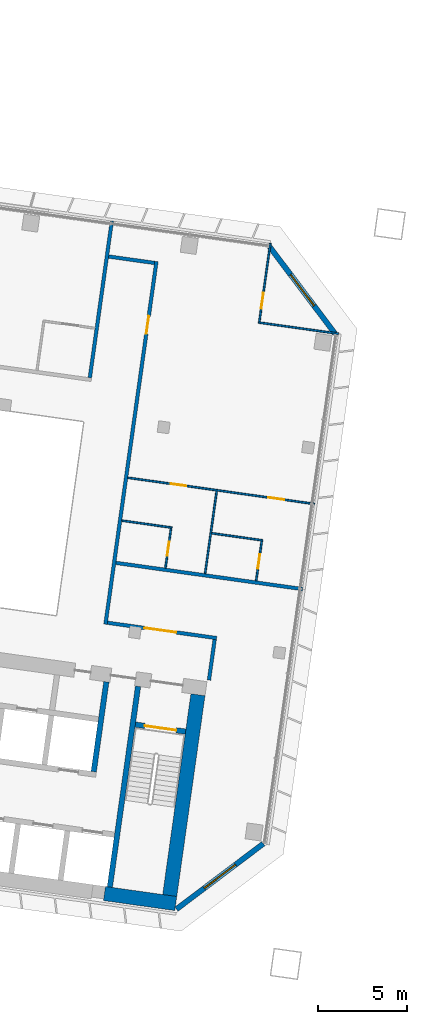
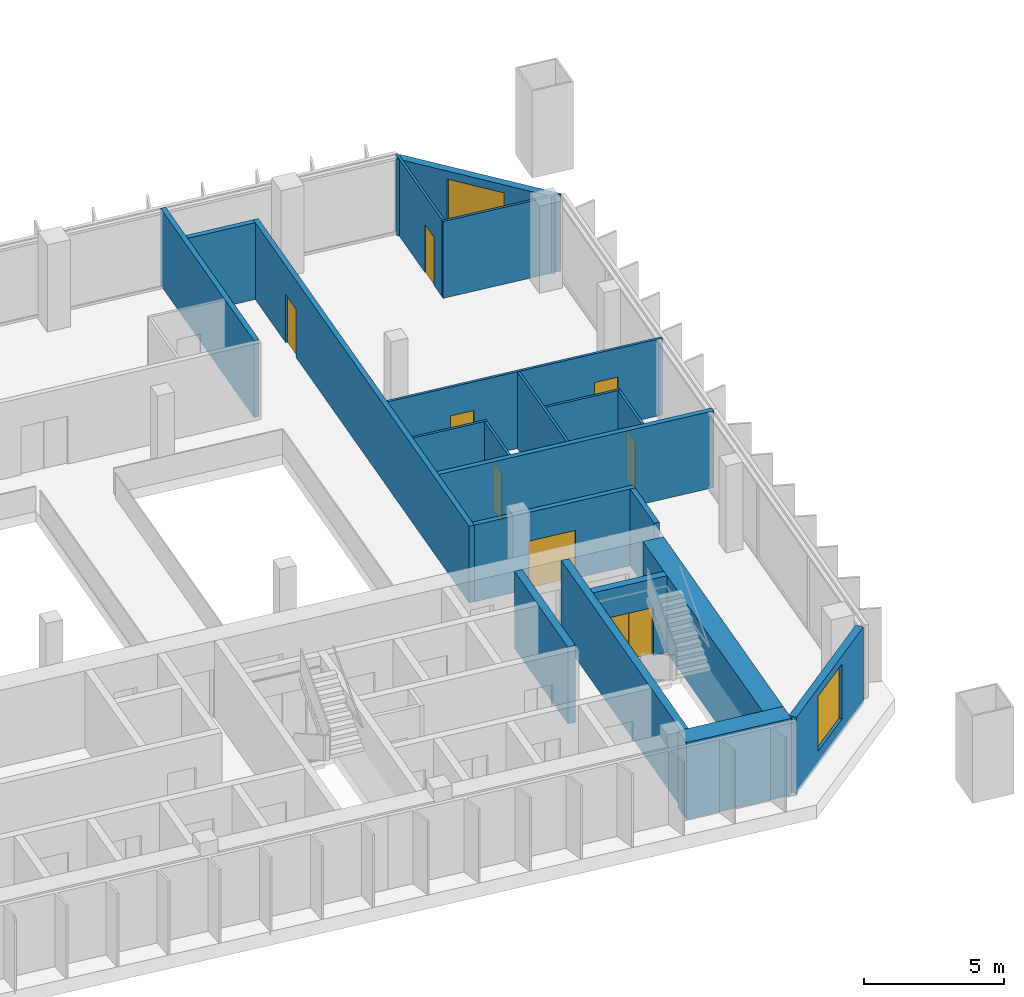
# One storey, part 17 of 25: 21 walls, 8 doors, 2 windows, 10 openings.
"""IFC4 building model written with IfcOpenShell, lengths in metres."""

from ifc_helpers import new_model, si_unit, direction, frame, frame_2d, origin, place, context, subcontext, project, spatial, rectangle, extrude, material, layer, layer_set, type_object, element, fill, save


model = new_model("IFC4")

# Units and contexts
model_context = context("Model", 3, precision=1e-05, world=origin(), true_north=direction((0.0, 1.0)))
body_context = subcontext(model_context, "Body", "Model", "MODEL_VIEW")
ifc_project = project(units=[si_unit("LENGTHUNIT", "METRE"), si_unit("AREAUNIT", "SQUARE_METRE"), si_unit("VOLUMEUNIT", "CUBIC_METRE"), si_unit("PLANEANGLEUNIT", "RADIAN"), si_unit("MASSUNIT", "GRAM", prefix="KILO")], contexts=[model_context])

# Site, building, storey
site_placement = place(None, origin())
site = spatial("IfcSite", under=ifc_project, at=site_placement, CompositionType="ELEMENT")
building_placement = place(site_placement, origin())
building = spatial("IfcBuilding", under=site, at=building_placement, Name="Mirante Cascada Hotel Towers", CompositionType="ELEMENT")
storey_placement = place(building_placement, frame((0.0, 0.0, 129.1)))
storey = spatial("IfcBuildingStorey", under=building, at=storey_placement, Name="L29", CompositionType="ELEMENT", Elevation=129.1)

# Wall, opening, door
ifc_material_1 = material(Name="Fire-rated plasterboard on metal studs")
ifc_layer_1 = layer(ifc_material_1, 0.2)
ifc_layer_set_1 = layer_set([ifc_layer_1], Name="Compartment wall 200 EI 120")
wall_type_1 = type_object("IfcWallType", Name="Compartment wall 200 EI 120", PredefinedType="PARTITIONING", material=ifc_layer_set_1)
wall_1_placement = place(storey_placement, frame((-40.97, -3.8917, 0.0), z_axis=(0.0, 0.0, 1.0), x_axis=(0.9902695, -0.1391629, 0.0)))
wall_1 = element("IfcWall", 1, at=wall_1_placement, inside=storey, type_object=wall_type_1, Name="Wall 1-L29-03", PredefinedType="PARTITIONING", context=body_context, shape_type="SweptSolid", body=[
    extrude(rectangle(XDim=6.1999, YDim=0.2, at=frame_2d((3.1, 0.0))), origin(), (0.0, 0.0, 1.0), 3.35),
])
opening_1_placement = place(wall_1_placement, frame((2.1, 0.0, 0.0)))
opening_1 = element("IfcOpeningElement", 2, at=opening_1_placement, cuts=wall_1, Name="Opening D1-L29-01", PredefinedType="OPENING", context=body_context, shape_type="SweptSolid", body=[
    extrude(rectangle(XDim=1.8, YDim=2.1, at=frame_2d((0.9, 1.05))), frame((0.0, 0.1, 0.0), z_axis=(0.0, -1.0, 0.0), x_axis=(1.0, 0.0, 0.0)), (0.0, 0.0, 1.0), 0.2),
])
ifc_material_2 = material(Name="Fire-rated timber door leaf", Category="wood")
door_type_1 = type_object("IfcDoorType", Name="Suite double door DG2 1800x2100 EI 60", OperationType="DOUBLE_DOOR_SINGLE_SWING", PredefinedType="DOOR", material=ifc_material_2)
door_1_placement = place(opening_1_placement, origin())
door_1 = element("IfcDoor", 3, at=door_1_placement, inside=storey, type_object=door_type_1, Name="Door D1-L29-01", OperationType="DOUBLE_DOOR_SINGLE_SWING", OverallHeight=2.1, OverallWidth=1.8, PredefinedType="DOOR", context=body_context, shape_type="SweptSolid", body=[
    extrude(rectangle(XDim=0.895, YDim=2.1, at=frame_2d((0.4475, 1.05))), frame((0.0, 0.025, 0.0), z_axis=(0.0, -1.0, 0.0), x_axis=(1.0, 0.0, 0.0)), (0.0, 0.0, 1.0), 0.05),
    extrude(rectangle(XDim=0.895, YDim=2.1, at=frame_2d((1.3525, 1.05))), frame((0.0, 0.025, 0.0), z_axis=(0.0, -1.0, 0.0), x_axis=(1.0, 0.0, 0.0)), (0.0, 0.0, 1.0), 0.05),
])
fill(opening_1, door_1)

# Walls
wall_2_placement = place(storey_placement, frame((-30.0, -2.0, 0.0), z_axis=(0.0, 0.0, 1.0), x_axis=(-0.9902684, 0.1391704, 0.0)))
element("IfcWall", 4, at=wall_2_placement, inside=storey, type_object=wall_type_1, Name="Wall 1-L29-04", PredefinedType="PARTITIONING", context=body_context, shape_type="SweptSolid", body=[
    extrude(rectangle(XDim=10.6, YDim=0.2, at=frame_2d((5.3, 0.0))), origin(), (0.0, 0.0, 1.0), 3.35),
])
wall_3_placement = place(storey_placement, frame((-38.329, 16.3376, 0.0), z_axis=(0.0, 0.0, 1.0), x_axis=(-0.9902647, 0.1391971, 0.0)))
element("IfcWall", 5, at=wall_3_placement, inside=storey, type_object=wall_type_1, Name="Wall 1-L29-20", PredefinedType="PARTITIONING", context=body_context, shape_type="SweptSolid", body=[
    extrude(rectangle(XDim=2.5999, YDim=0.2, at=frame_2d((1.3, 0.0))), origin(), (0.0, 0.0, 1.0), 3.35),
])
wall_4_placement = place(storey_placement, frame((-35.2634, -7.1173, 0.0), z_axis=(0.0, 0.0, 1.0), x_axis=(0.1391749, 0.9902678, 0.0)))
element("IfcWall", 6, at=wall_4_placement, inside=storey, type_object=wall_type_1, Name="Wall 1-L29-24", PredefinedType="PARTITIONING", context=body_context, shape_type="SweptSolid", body=[
    extrude(rectangle(XDim=2.3, YDim=0.2, at=frame_2d((1.15, 0.0))), origin(), (0.0, 0.0, 1.0), 3.35),
])

# Wall, opening, door
wall_5_placement = place(storey_placement, frame((-41.083, -3.9768, 0.0), z_axis=(0.0, 0.0, 1.0), x_axis=(0.1391749, 0.9902678, 0.0)))
wall_5 = element("IfcWall", 7, at=wall_5_placement, inside=storey, type_object=wall_type_1, Name="Wall 1-L29-28", PredefinedType="PARTITIONING", context=body_context, shape_type="SweptSolid", body=[
    extrude(rectangle(XDim=20.6, YDim=0.2, at=frame_2d((10.3, 0.0))), origin(), (0.0, 0.0, 1.0), 3.35),
])
opening_2_placement = place(wall_5_placement, frame((16.5, 0.0, 0.0)))
opening_2 = element("IfcOpeningElement", 8, at=opening_2_placement, cuts=wall_5, Name="Opening D1-L29-21", PredefinedType="OPENING", context=body_context, shape_type="SweptSolid", body=[
    extrude(rectangle(XDim=1.0, YDim=2.1, at=frame_2d((0.5, 1.05))), frame((0.0, 0.1, 0.0), z_axis=(0.0, -1.0, 0.0), x_axis=(1.0, 0.0, 0.0)), (0.0, 0.0, 1.0), 0.2),
])
ifc_material_3 = material(Name="Fire-rated timber door leaf", Category="wood")
door_type_2 = type_object("IfcDoorType", Name="Entrance door DG1 1000x2100 EI 60", OperationType="SINGLE_SWING_LEFT", PredefinedType="DOOR", material=ifc_material_3)
door_2_placement = place(opening_2_placement, frame((1.0, 0.0, 0.0), z_axis=(0.0, 0.0, 1.0), x_axis=(-1.0, 0.0, 0.0)))
door_2 = element("IfcDoor", 9, at=door_2_placement, inside=storey, type_object=door_type_2, Name="Door D1-L29-21", OperationType="SINGLE_SWING_RIGHT", OverallHeight=2.1, OverallWidth=1.0, PredefinedType="DOOR", context=body_context, shape_type="SweptSolid", body=[
    extrude(rectangle(XDim=1.0, YDim=2.1, at=frame_2d((0.5, 1.05))), frame((0.0, 0.025, 0.0), z_axis=(0.0, -1.0, 0.0), x_axis=(1.0, 0.0, 0.0)), (0.0, 0.0, 1.0), 0.05),
])
fill(opening_2, door_2)

# Walls
wall_6_placement = place(storey_placement, frame((-40.7243, 18.6939, 0.0), z_axis=(0.0, 0.0, 1.0), x_axis=(-0.1391794, -0.9902672, 0.0)))
element("IfcWall", 10, at=wall_6_placement, inside=storey, type_object=wall_type_1, Name="Wall 1-L29-29", PredefinedType="PARTITIONING", context=body_context, shape_type="SweptSolid", body=[
    extrude(rectangle(XDim=8.9, YDim=0.2, at=frame_2d((4.45, 0.0))), origin(), (0.0, 0.0, 1.0), 3.35),
])
ifc_material_4 = material(Name="Plasterboard on metal studs")
ifc_layer_2 = layer(ifc_material_4, 0.1)
ifc_layer_set_2 = layer_set([ifc_layer_2], Name="Partition 100")
wall_type_2 = type_object("IfcWallType", Name="Partition 100", PredefinedType="PARTITIONING", material=ifc_layer_set_2)
wall_7_placement = place(storey_placement, frame((-35.1125, 1.1421, 0.0), z_axis=(0.0, 0.0, 1.0), x_axis=(0.9902683, -0.1391714, 0.0)))
element("IfcWall", 11, at=wall_7_placement, inside=storey, type_object=wall_type_2, Name="Wall 1-L29-05", PredefinedType="PARTITIONING", context=body_context, shape_type="SweptSolid", body=[
    extrude(rectangle(XDim=2.9, YDim=0.1, at=frame_2d((1.45, 0.0))), origin(), (0.0, 0.0, 1.0), 3.35),
])
wall_8_placement = place(storey_placement, frame((-37.3406, 1.4552, 0.0), z_axis=(0.0, 0.0, 1.0), x_axis=(-0.9902649, 0.1391957, 0.0)))
element("IfcWall", 12, at=wall_8_placement, inside=storey, type_object=wall_type_2, Name="Wall 1-L29-06", PredefinedType="PARTITIONING", context=body_context, shape_type="SweptSolid", body=[
    extrude(rectangle(XDim=2.8499, YDim=0.1, at=frame_2d((1.425, 0.0))), origin(), (0.0, 0.0, 1.0), 3.35),
])

# Wall, openings, doors
wall_9_placement = place(storey_placement, frame((-39.8242, 4.2615, 0.0), z_axis=(0.0, 0.0, 1.0), x_axis=(0.9902686, -0.1391691, 0.0)))
wall_9 = element("IfcWall", 13, at=wall_9_placement, inside=storey, type_object=wall_type_2, Name="Wall 1-L29-07", PredefinedType="PARTITIONING", context=body_context, shape_type="SweptSolid", body=[
    extrude(rectangle(XDim=10.6001, YDim=0.1, at=frame_2d((5.3, 0.0))), origin(), (0.0, 0.0, 1.0), 3.35),
])
opening_3_placement = place(wall_9_placement, frame((7.975, 0.0, 0.0)))
opening_3 = element("IfcOpeningElement", 14, at=opening_3_placement, cuts=wall_9, Name="Opening D1-L29-02", PredefinedType="OPENING", context=body_context, shape_type="SweptSolid", body=[
    extrude(rectangle(XDim=0.9, YDim=2.1, at=frame_2d((0.45, 1.05))), frame((0.0, 0.05, 0.0), z_axis=(0.0, -1.0, 0.0), x_axis=(1.0, 0.0, 0.0)), (0.0, 0.0, 1.0), 0.1),
])
opening_4_placement = place(wall_9_placement, frame((2.425, 0.0, 0.0)))
opening_4 = element("IfcOpeningElement", 15, at=opening_4_placement, cuts=wall_9, Name="Opening D1-L29-03", PredefinedType="OPENING", context=body_context, shape_type="SweptSolid", body=[
    extrude(rectangle(XDim=0.9, YDim=2.1, at=frame_2d((0.45, 1.05))), frame((0.0, 0.05, 0.0), z_axis=(0.0, -1.0, 0.0), x_axis=(1.0, 0.0, 0.0)), (0.0, 0.0, 1.0), 0.1),
])
ifc_material_5 = material(Name="Timber door leaf", Category="wood")
door_type_3 = type_object("IfcDoorType", Name="Room door DG3 900x2100", OperationType="SINGLE_SWING_LEFT", PredefinedType="DOOR", material=ifc_material_5)
door_3_placement = place(opening_3_placement, origin())
door_3 = element("IfcDoor", 16, at=door_3_placement, inside=storey, type_object=door_type_3, Name="Door D1-L29-02", OperationType="SINGLE_SWING_LEFT", OverallHeight=2.1, OverallWidth=0.9, PredefinedType="DOOR", context=body_context, shape_type="SweptSolid", body=[
    extrude(rectangle(XDim=0.9, YDim=2.1, at=frame_2d((0.45, 1.05))), frame((0.0, 0.025, 0.0), z_axis=(0.0, -1.0, 0.0), x_axis=(1.0, 0.0, 0.0)), (0.0, 0.0, 1.0), 0.05),
])
fill(opening_3, door_3)
door_4_placement = place(opening_4_placement, origin())
door_4 = element("IfcDoor", 17, at=door_4_placement, inside=storey, type_object=door_type_3, Name="Door D1-L29-03", OperationType="SINGLE_SWING_LEFT", OverallHeight=2.1, OverallWidth=0.9, PredefinedType="DOOR", context=body_context, shape_type="SweptSolid", body=[
    extrude(rectangle(XDim=0.9, YDim=2.1, at=frame_2d((0.45, 1.05))), frame((0.0, 0.025, 0.0), z_axis=(0.0, -1.0, 0.0), x_axis=(1.0, 0.0, 0.0)), (0.0, 0.0, 1.0), 0.05),
])
fill(opening_4, door_4)

# Wall
wall_10_placement = place(storey_placement, frame((-27.982, 12.3589, 0.0), z_axis=(0.0, 0.0, 1.0), x_axis=(-0.9902691, 0.1391656, 0.0)))
element("IfcWall", 18, at=wall_10_placement, inside=storey, type_object=wall_type_2, Name="Wall 1-L29-18", PredefinedType="PARTITIONING", context=body_context, shape_type="SweptSolid", body=[
    extrude(rectangle(XDim=4.55, YDim=0.1, at=frame_2d((2.275, 0.0))), origin(), (0.0, 0.0, 1.0), 3.35),
])

# Wall, opening, door
wall_11_placement = place(storey_placement, frame((-32.2972, 0.6959, 0.0), z_axis=(0.0, 0.0, 1.0), x_axis=(-0.1391561, -0.9902705, 0.0)))
wall_11 = element("IfcWall", 19, at=wall_11_placement, inside=storey, type_object=wall_type_2, Name="Wall 1-L29-23", PredefinedType="PARTITIONING", context=body_context, shape_type="SweptSolid", body=[
    extrude(rectangle(XDim=2.25, YDim=0.1, at=frame_2d((1.125, 0.0))), origin(), (0.0, 0.0, 1.0), 3.35),
])
opening_5_placement = place(wall_11_placement, frame((0.75, 0.0, 0.0)))
opening_5 = element("IfcOpeningElement", 20, at=opening_5_placement, cuts=wall_11, Name="Opening D1-L29-18", PredefinedType="OPENING", context=body_context, shape_type="SweptSolid", body=[
    extrude(rectangle(XDim=0.8, YDim=2.1, at=frame_2d((0.4, 1.05))), frame((0.0, 0.05, 0.0), z_axis=(0.0, -1.0, 0.0), x_axis=(1.0, 0.0, 0.0)), (0.0, 0.0, 1.0), 0.1),
])
ifc_material_6 = material(Name="Timber door leaf", Category="wood")
door_type_4 = type_object("IfcDoorType", Name="Bathroom door DG4 800x2100", OperationType="SINGLE_SWING_LEFT", PredefinedType="DOOR", material=ifc_material_6)
door_5_placement = place(opening_5_placement, frame((0.8, 0.0, 0.0), z_axis=(0.0, 0.0, 1.0), x_axis=(-1.0, 0.0, 0.0)))
door_5 = element("IfcDoor", 21, at=door_5_placement, inside=storey, type_object=door_type_4, Name="Door D1-L29-18", OperationType="SINGLE_SWING_RIGHT", OverallHeight=2.1, OverallWidth=0.8, PredefinedType="DOOR", context=body_context, shape_type="SweptSolid", body=[
    extrude(rectangle(XDim=0.8, YDim=2.1, at=frame_2d((0.4, 1.05))), frame((0.0, 0.025, 0.0), z_axis=(0.0, -1.0, 0.0), x_axis=(1.0, 0.0, 0.0)), (0.0, 0.0, 1.0), 0.05),
])
fill(opening_5, door_5)

wall_12_placement = place(storey_placement, frame((-31.8119, 17.4414, 0.0), z_axis=(0.0, 0.0, 1.0), x_axis=(-0.1391684, -0.9902687, 0.0)))
wall_12 = element("IfcWall", 22, at=wall_12_placement, inside=storey, type_object=wall_type_2, Name="Wall 1-L29-25", PredefinedType="PARTITIONING", context=body_context, shape_type="SweptSolid", body=[
    extrude(rectangle(XDim=4.45, YDim=0.1, at=frame_2d((2.225, 0.0))), origin(), (0.0, 0.0, 1.0), 3.35),
])
opening_6_placement = place(wall_12_placement, frame((2.8, 0.0, 0.0)))
opening_6 = element("IfcOpeningElement", 23, at=opening_6_placement, cuts=wall_12, Name="Opening D1-L29-19", PredefinedType="OPENING", context=body_context, shape_type="SweptSolid", body=[
    extrude(rectangle(XDim=0.9, YDim=2.1, at=frame_2d((0.45, 1.05))), frame((0.0, 0.05, 0.0), z_axis=(0.0, -1.0, 0.0), x_axis=(1.0, 0.0, 0.0)), (0.0, 0.0, 1.0), 0.1),
])
door_6_placement = place(opening_6_placement, frame((0.9, 0.0, 0.0), z_axis=(0.0, 0.0, 1.0), x_axis=(-1.0, 0.0, 0.0)))
door_6 = element("IfcDoor", 24, at=door_6_placement, inside=storey, type_object=door_type_3, Name="Door D1-L29-19", OperationType="SINGLE_SWING_RIGHT", OverallHeight=2.1, OverallWidth=0.9, PredefinedType="DOOR", context=body_context, shape_type="SweptSolid", body=[
    extrude(rectangle(XDim=0.9, YDim=2.1, at=frame_2d((0.45, 1.05))), frame((0.0, 0.025, 0.0), z_axis=(0.0, -1.0, 0.0), x_axis=(1.0, 0.0, 0.0)), (0.0, 0.0, 1.0), 0.05),
])
fill(opening_6, door_6)

# Wall
wall_13_placement = place(storey_placement, frame((-35.4821, -1.1286, 0.0), z_axis=(0.0, 0.0, 1.0), x_axis=(0.139173, 0.9902681, 0.0)))
element("IfcWall", 25, at=wall_13_placement, inside=storey, type_object=wall_type_2, Name="Wall 1-L29-26", PredefinedType="PARTITIONING", context=body_context, shape_type="SweptSolid", body=[
    extrude(rectangle(XDim=4.6834, YDim=0.1, at=frame_2d((2.3417, 0.0))), origin(), (0.0, 0.0, 1.0), 3.35),
])

# Wall, opening, door
wall_14_placement = place(storey_placement, frame((-37.397, 1.4127, 0.0), z_axis=(0.0, 0.0, 1.0), x_axis=(-0.1391997, -0.9902643, 0.0)))
wall_14 = element("IfcWall", 26, at=wall_14_placement, inside=storey, type_object=wall_type_2, Name="Wall 1-L29-27", PredefinedType="PARTITIONING", context=body_context, shape_type="SweptSolid", body=[
    extrude(rectangle(XDim=2.25, YDim=0.1, at=frame_2d((1.125, 0.0))), origin(), (0.0, 0.0, 1.0), 3.35),
])
opening_7_placement = place(wall_14_placement, frame((0.75, 0.0, 0.0)))
opening_7 = element("IfcOpeningElement", 27, at=opening_7_placement, cuts=wall_14, Name="Opening D1-L29-20", PredefinedType="OPENING", context=body_context, shape_type="SweptSolid", body=[
    extrude(rectangle(XDim=0.8, YDim=2.1, at=frame_2d((0.4, 1.05))), frame((0.0, 0.05, 0.0), z_axis=(0.0, -1.0, 0.0), x_axis=(1.0, 0.0, 0.0)), (0.0, 0.0, 1.0), 0.1),
])
door_7_placement = place(opening_7_placement, frame((0.8, 0.0, 0.0), z_axis=(0.0, 0.0, 1.0), x_axis=(-1.0, 0.0, 0.0)))
door_7 = element("IfcDoor", 28, at=door_7_placement, inside=storey, type_object=door_type_4, Name="Door D1-L29-20", OperationType="SINGLE_SWING_RIGHT", OverallHeight=2.1, OverallWidth=0.8, PredefinedType="DOOR", context=body_context, shape_type="SweptSolid", body=[
    extrude(rectangle(XDim=0.8, YDim=2.1, at=frame_2d((0.4, 1.05))), frame((0.0, 0.025, 0.0), z_axis=(0.0, -1.0, 0.0), x_axis=(1.0, 0.0, 0.0)), (0.0, 0.0, 1.0), 0.05),
])
fill(opening_7, door_7)

# Wall, opening, window
ifc_material_7 = material(Name="Precast concrete C40/50", Category="concrete")
ifc_layer_3 = layer(ifc_material_7, 0.3)
ifc_layer_set_3 = layer_set([ifc_layer_3], Name="Precast concrete C40/50 cladding wall 300")
wall_type_3 = type_object("IfcWallType", Name="Precast concrete C40/50 cladding wall 300", PredefinedType="STANDARD", material=ifc_layer_set_3)
wall_15_placement = place(storey_placement, frame((-31.857, 17.252, 0.0), z_axis=(0.0, 0.0, 1.0), x_axis=(0.6018141, -0.7986362, 0.0)))
wall_15 = element("IfcWall", 29, at=wall_15_placement, inside=storey, type_object=wall_type_3, Name="Corner cladding wall T1 L29 front inner", PredefinedType="STANDARD", context=body_context, shape_type="SweptSolid", body=[
    extrude(rectangle(XDim=6.1157, YDim=0.3, at=frame_2d((3.0578, 0.0))), origin(), (0.0, 0.0, 1.0), 3.35),
])
opening_8_placement = place(wall_15_placement, frame((1.9578, 0.0, 0.6)))
opening_8 = element("IfcOpeningElement", 30, at=opening_8_placement, cuts=wall_15, Name="Opening W1-29-05", PredefinedType="OPENING", context=body_context, shape_type="SweptSolid", body=[
    extrude(rectangle(XDim=2.2, YDim=2.4, at=frame_2d((1.1, 1.2))), frame((0.0, 0.15, 0.0), z_axis=(0.0, -1.0, 0.0), x_axis=(1.0, 0.0, 0.0)), (0.0, 0.0, 1.0), 0.3),
])
ifc_material_8 = material(Name="Aluminium frame with clear double glazing", Category="aluminium")
window_type = type_object("IfcWindowType", Name="Corner suite window 2200x2400", PartitioningType="DOUBLE_PANEL_VERTICAL", PredefinedType="WINDOW", material=ifc_material_8)
window_1_placement = place(opening_8_placement, origin())
window_1 = element("IfcWindow", 31, at=window_1_placement, inside=storey, type_object=window_type, Name="Window W1-29-05", OverallHeight=2.4, OverallWidth=2.2, PartitioningType="SINGLE_PANEL", PredefinedType="WINDOW", context=body_context, shape_type="SweptSolid", body=[
    extrude(rectangle(XDim=2.2, YDim=2.4, at=frame_2d((1.1, 1.2))), frame((0.0, 0.03, 0.0), z_axis=(0.0, -1.0, 0.0), x_axis=(1.0, 0.0, 0.0)), (0.0, 0.0, 1.0), 0.06),
])
fill(opening_8, window_1)

wall_16_placement = place(storey_placement, frame((-32.2074, -16.3138, 0.0), z_axis=(0.0, 0.0, 1.0), x_axis=(-0.7986362, -0.6018141, 0.0)))
wall_16 = element("IfcWall", 32, at=wall_16_placement, inside=storey, type_object=wall_type_3, Name="Corner cladding wall T1 L29 inner rear", PredefinedType="STANDARD", context=body_context, shape_type="SweptSolid", body=[
    extrude(rectangle(XDim=6.1157, YDim=0.3, at=frame_2d((3.0578, 0.0))), origin(), (0.0, 0.0, 1.0), 3.35),
])
opening_9_placement = place(wall_16_placement, frame((1.9578, 0.0, 0.6)))
opening_9 = element("IfcOpeningElement", 33, at=opening_9_placement, cuts=wall_16, Name="Opening W1-29-06", PredefinedType="OPENING", context=body_context, shape_type="SweptSolid", body=[
    extrude(rectangle(XDim=2.2, YDim=2.4, at=frame_2d((1.1, 1.2))), frame((0.0, 0.15, 0.0), z_axis=(0.0, -1.0, 0.0), x_axis=(1.0, 0.0, 0.0)), (0.0, 0.0, 1.0), 0.3),
])
window_2_placement = place(opening_9_placement, origin())
window_2 = element("IfcWindow", 34, at=window_2_placement, inside=storey, type_object=window_type, Name="Window W1-29-06", OverallHeight=2.4, OverallWidth=2.2, PartitioningType="SINGLE_PANEL", PredefinedType="WINDOW", context=body_context, shape_type="SweptSolid", body=[
    extrude(rectangle(XDim=2.2, YDim=2.4, at=frame_2d((1.1, 1.2))), frame((0.0, 0.03, 0.0), z_axis=(0.0, -1.0, 0.0), x_axis=(1.0, 0.0, 0.0)), (0.0, 0.0, 1.0), 0.06),
])
fill(opening_9, window_2)

# Wall
ifc_material_9 = material(Name="Concrete C50/60", Category="concrete")
ifc_layer_4 = layer(ifc_material_9, 0.3)
ifc_layer_set_4 = layer_set([ifc_layer_4], Name="RC core wall 300 C50/60")
wall_type_4 = type_object("IfcWallType", Name="RC core wall 300 C50/60", PredefinedType="SHEAR", material=ifc_layer_set_4)
wall_17_placement = place(storey_placement, frame((-40.8373, -18.7548, 0.0), z_axis=(0.0, 0.0, 1.0), x_axis=(0.1391749, 0.9902678, 0.0)))
element("IfcWall", 35, at=wall_17_placement, inside=storey, type_object=wall_type_4, Name="Core wall T1:L29:5", PredefinedType="SHEAR", context=body_context, shape_type="SweptSolid", body=[
    extrude(rectangle(XDim=11.4, YDim=0.3, at=frame_2d((5.7, 0.0))), origin(), (0.0, 0.0, 1.0), 3.35),
])

# Wall, opening, door
wall_18_placement = place(storey_placement, frame((-36.5791, -10.0123, 0.0), z_axis=(0.0, 0.0, 1.0), x_axis=(-0.9902704, 0.1391564, 0.0)))
wall_18 = element("IfcWall", 36, at=wall_18_placement, inside=storey, type_object=wall_type_4, Name="Core wall T1:L29:9", PredefinedType="SHEAR", context=body_context, shape_type="SweptSolid", body=[
    extrude(rectangle(XDim=2.85, YDim=0.3, at=frame_2d((1.425, 0.0))), origin(), (0.0, 0.0, 1.0), 3.35),
])
opening_10_placement = place(wall_18_placement, frame((0.525, 0.0, 0.0)))
opening_10 = element("IfcOpeningElement", 37, at=opening_10_placement, cuts=wall_18, Name="Opening D1-29-C13", PredefinedType="OPENING", context=body_context, shape_type="SweptSolid", body=[
    extrude(rectangle(XDim=1.8, YDim=2.1, at=frame_2d((0.9, 1.05))), frame((0.0, 0.15, 0.0), z_axis=(0.0, -1.0, 0.0), x_axis=(1.0, 0.0, 0.0)), (0.0, 0.0, 1.0), 0.3),
])
ifc_material_10 = material(Name="Hollow metal fire door leaf")
door_type_5 = type_object("IfcDoorType", Name="Double fire door 1800x2100 FD60", OperationType="DOUBLE_DOOR_SINGLE_SWING", PredefinedType="DOOR", material=ifc_material_10)
door_8_placement = place(opening_10_placement, origin())
door_8 = element("IfcDoor", 38, at=door_8_placement, inside=storey, type_object=door_type_5, Name="Stair door T1 L29 13", OperationType="DOUBLE_DOOR_SINGLE_SWING", OverallHeight=2.1, OverallWidth=1.8, PredefinedType="DOOR", context=body_context, shape_type="SweptSolid", body=[
    extrude(rectangle(XDim=0.895, YDim=2.1, at=frame_2d((0.4475, 1.05))), frame((0.0, 0.025, 0.0), z_axis=(0.0, -1.0, 0.0), x_axis=(1.0, 0.0, 0.0)), (0.0, 0.0, 1.0), 0.05),
    extrude(rectangle(XDim=0.895, YDim=2.1, at=frame_2d((1.3525, 1.05))), frame((0.0, 0.025, 0.0), z_axis=(0.0, -1.0, 0.0), x_axis=(1.0, 0.0, 0.0)), (0.0, 0.0, 1.0), 0.05),
])
fill(opening_10, door_8)

# Walls
wall_19_placement = place(storey_placement, frame((-41.743, -12.2656, 0.0), z_axis=(0.0, 0.0, 1.0), x_axis=(0.1391755, 0.9902677, 0.0)))
element("IfcWall", 39, at=wall_19_placement, inside=storey, type_object=wall_type_4, Name="Core wall T1:L29:20", PredefinedType="SHEAR", context=body_context, shape_type="SweptSolid", body=[
    extrude(rectangle(XDim=5.1, YDim=0.3, at=frame_2d((2.55, 0.0))), origin(), (0.0, 0.0, 1.0), 3.35),
])
ifc_material_11 = material(Name="Concrete C50/60", Category="concrete")
ifc_layer_5 = layer(ifc_material_11, 0.8)
ifc_layer_set_5 = layer_set([ifc_layer_5], Name="RC core wall 800 C50/60")
wall_type_5 = type_object("IfcWallType", Name="RC core wall 800 C50/60", PredefinedType="SHEAR", material=ifc_layer_set_5)
wall_20_placement = place(storey_placement, frame((-37.1299, -19.6798, 0.0), z_axis=(0.0, 0.0, 1.0), x_axis=(-0.9902665, 0.1391845, 0.0)))
element("IfcWall", 40, at=wall_20_placement, inside=storey, type_object=wall_type_5, Name="Core wall T1:L29:1.1", PredefinedType="SHEAR", context=body_context, shape_type="SweptSolid", body=[
    extrude(rectangle(XDim=4.05, YDim=0.8, at=frame_2d((2.025, 0.0))), origin(), (0.0, 0.0, 1.0), 3.35),
])
wall_21_placement = place(storey_placement, frame((-37.4704, -19.228, 0.0), z_axis=(0.0, 0.0, 1.0), x_axis=(0.1391749, 0.9902678, 0.0)))
element("IfcWall", 41, at=wall_21_placement, inside=storey, type_object=wall_type_5, Name="Core wall T1:L29:3", PredefinedType="SHEAR", context=body_context, shape_type="SweptSolid", body=[
    extrude(rectangle(XDim=11.4, YDim=0.8, at=frame_2d((5.7, 0.0))), origin(), (0.0, 0.0, 1.0), 3.35),
])

save(model, "model.ifc")
